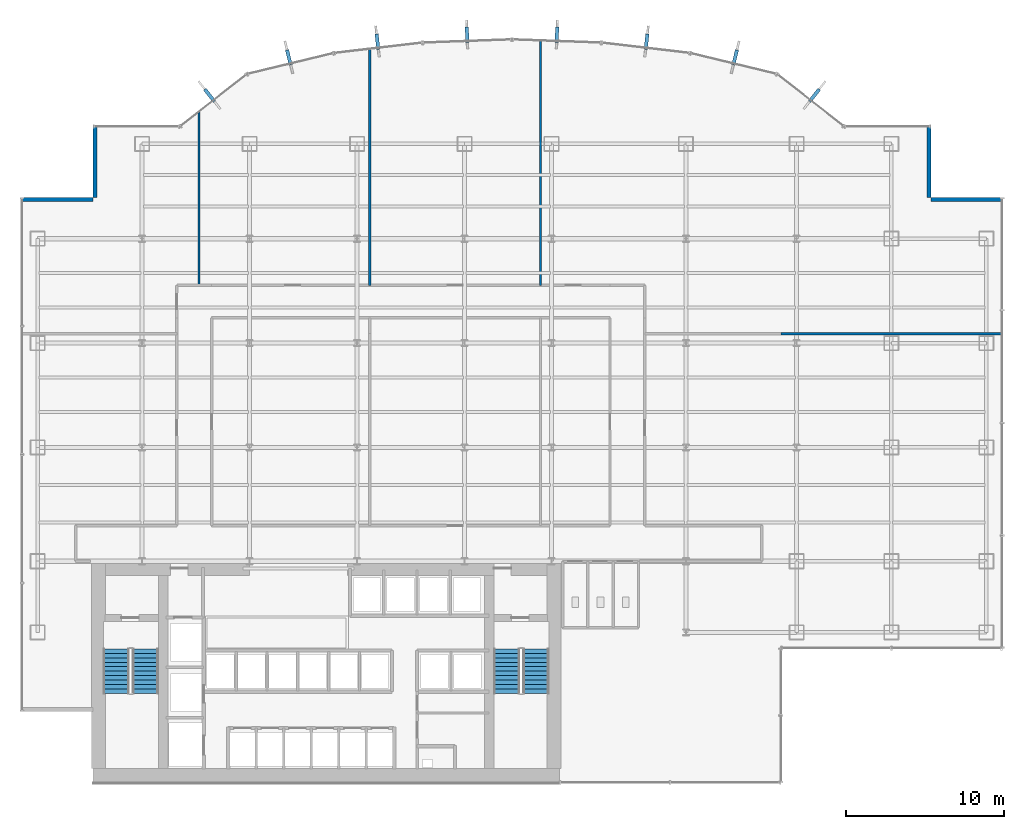
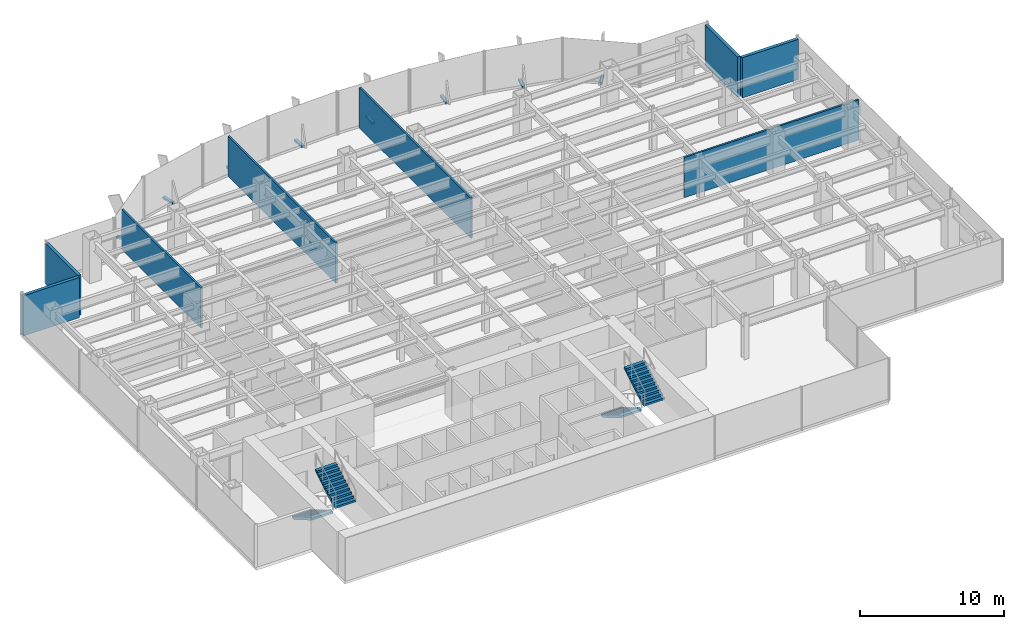
# One storey, part 19 of 22: 8 discrete accessories, 8 walls, 4 stair flights, 2 elements without a shape of their own.
"""IFC4 building model written with IfcOpenShell, lengths in metres."""

from ifc_helpers import new_model, si_unit, derived_unit, direction, frame, frame_2d, origin, origin_2d, place, context, subcontext, project, spatial, polyline, rectangle, outline, extrude, source, transform, mapped, material, layer, layer_set, type_object, element, aggregate, save


model = new_model("IFC4")

# Units and contexts
model_context = context("Model", 3, precision=1e-05, world=origin(), true_north=direction((0.0, 1.0)))
body_context = subcontext(model_context, "Body", "Model", "MODEL_VIEW")
ifc_project = project(units=[si_unit("LENGTHUNIT", "METRE"), si_unit("AREAUNIT", "SQUARE_METRE"), si_unit("VOLUMEUNIT", "CUBIC_METRE"), si_unit("PLANEANGLEUNIT", "RADIAN"), si_unit("MASSUNIT", "GRAM", prefix="KILO"), derived_unit("THERMALTRANSMITTANCEUNIT", [(si_unit("POWERUNIT", "WATT"), 1), (si_unit("LENGTHUNIT", "METRE"), -2), (si_unit("THERMODYNAMICTEMPERATUREUNIT", "KELVIN"), -1)])], contexts=[model_context])

# Site, building, storey
site_placement = place(None, origin())
site = spatial("IfcSite", under=ifc_project, at=site_placement, CompositionType="ELEMENT")
building_placement = place(site_placement, origin())
building = spatial("IfcBuilding", under=site, at=building_placement, Name="Skarnbrae Concourse Arena and Tower", CompositionType="ELEMENT")
storey_placement = place(building_placement, frame((0.0, 0.0, 72.64990234375)))
storey = spatial("IfcBuildingStorey", under=building, at=storey_placement, Name="L17", CompositionType="ELEMENT", Elevation=72.64990234375)

# Walls
ifc_material_1 = material(Name="Precast concrete 40 MPa (C40/50)", Category="concrete")
ifc_layer_1 = layer(ifc_material_1, 0.25)
ifc_layer_set_1 = layer_set([ifc_layer_1], Name="Precast concrete 40 MPa (C40/50)")
wall_type_1 = type_object("IfcWallType", Name="WALL-EXT-SPANDREL-250", PredefinedType="STANDARD", material=ifc_layer_set_1)
shared_shape_1 = source(origin(), body_context, "Body", "SweptSolid", [
    extrude(rectangle(XDim=4.5, YDim=0.25, at=frame_2d((2.25, 0.0))), origin(), (0.0, 0.0, 1.0), 3.400146484375),
])
for number, where, z_axis, x_axis, name in (
    (1, (62.0, 36.875, 0.0), (0.0, 0.0, 1.0), (-1.0, 0.0, 0.0), "L17 Notched corner insulated return wall 05"),
    (2, (57.375, 37.0, 0.0), (0.0, 0.0, 1.0), (0.0, 1.0, 0.0), "L17 Notched corner insulated return wall 06"),
    (3, (4.625, 41.5, 0.0), (0.0, 0.0, 1.0), (0.0, -1.0, 0.0), "L17 Notched corner insulated return wall 17"),
    (4, (4.5, 36.875, 0.0), (0.0, 0.0, 1.0), (-1.0, 0.0, 0.0), "L17 Notched corner insulated return wall 18"),
):
    element("IfcWall", number, at=place(storey_placement, frame(where, z_axis=z_axis, x_axis=x_axis)), inside=storey, type_object=wall_type_1, Name=name, PredefinedType="STANDARD", context=body_context, shape_type="MappedRepresentation", body=[
        mapped(shared_shape_1, transform((0.0, 0.0, 0.0))),
    ])
ifc_material_2 = material(Name="Gypsum board on cold-formed steel studs", Category="steel")
ifc_layer_2 = layer(ifc_material_2, 0.14990234375)
ifc_layer_set_2 = layer_set([ifc_layer_2], Name="Gypsum board on cold-formed steel studs")
wall_type_2 = type_object("IfcWallType", Name="WALL-PART-150", PredefinedType="PARTITIONING", material=ifc_layer_set_2)
shared_shape_2 = source(origin(), body_context, "Body", "SweptSolid", [
    extrude(rectangle(XDim=10.96337890625, YDim=0.14990234375, at=frame_2d((5.481689453125, 0.0))), origin(), (0.0, 0.0, 1.0), 3.400146484375),
])
wall_1_placement = place(storey_placement, frame((11.199951171875, 42.413330078125, 0.0), z_axis=(0.0, 0.0, 1.0), x_axis=(0.0, -1.0, 0.0)))
element("IfcWall", 5, at=wall_1_placement, inside=storey, type_object=wall_type_2, Name="L17 Interior partition wall W-L17-DEM-19", PredefinedType="PARTITIONING", context=body_context, shape_type="MappedRepresentation", body=[
    mapped(shared_shape_2, transform((0.0, 0.0, 0.0))),
])
shared_shape_3 = source(origin(), body_context, "Body", "SweptSolid", [
    extrude(rectangle(XDim=14.935791015625, YDim=0.14990234375, at=frame_2d((7.4677734375, 0.0))), origin(), (0.0, 0.0, 1.0), 3.400146484375),
])
wall_2_placement = place(storey_placement, frame((22.0, 46.3857421875, 0.0), z_axis=(0.0, 0.0, 1.0), x_axis=(0.0, -1.0, 0.0)))
element("IfcWall", 6, at=wall_2_placement, inside=storey, type_object=wall_type_2, Name="L17 Interior partition wall W-L17-DEM-22", PredefinedType="PARTITIONING", context=body_context, shape_type="MappedRepresentation", body=[
    mapped(shared_shape_3, transform((0.0, 0.0, 0.0))),
])
shared_shape_4 = source(origin(), body_context, "Body", "SweptSolid", [
    extrude(rectangle(XDim=15.46533203125, YDim=0.14990234375, at=frame_2d((7.732666015625, 0.0))), origin(), (0.0, 0.0, 1.0), 3.400146484375),
])
wall_3_placement = place(storey_placement, frame((32.800048828125, 46.915283203125, 0.0), z_axis=(0.0, 0.0, 1.0), x_axis=(0.0, -1.0, 0.0)))
element("IfcWall", 7, at=wall_3_placement, inside=storey, type_object=wall_type_2, Name="L17 Interior partition wall W-L17-DEM-25", PredefinedType="PARTITIONING", context=body_context, shape_type="MappedRepresentation", body=[
    mapped(shared_shape_4, transform((0.0, 0.0, 0.0))),
])
shared_shape_5 = source(origin(), body_context, "Body", "SweptSolid", [
    extrude(rectangle(XDim=13.97998046875, YDim=0.14990234375, at=frame_2d((6.989990234375, 0.0))), origin(), (0.0, 0.0, 1.0), 3.400146484375),
])
wall_4_placement = place(storey_placement, frame((61.97998046875, 28.39990234375, 0.0), z_axis=(0.0, 0.0, 1.0), x_axis=(-1.0, 0.0, 0.0)))
element("IfcWall", 8, at=wall_4_placement, inside=storey, type_object=wall_type_2, Name="L17 Interior partition wall W-L17-DEM-26", PredefinedType="PARTITIONING", context=body_context, shape_type="MappedRepresentation", body=[
    mapped(shared_shape_5, transform((0.0, 0.0, 0.0))),
])

# Stair, stair flights
ifc_material_3 = material(Name="Concrete 40 MPa (C40/50)", Category="concrete")
stair_type = type_object("IfcStairType", Name="STAIR-DOGLEG-1650", PredefinedType="HALF_TURN_STAIR", material=ifc_material_3)
stair_1_placement = place(storey_placement, origin())
stair_1 = element("IfcStair", 9, at=stair_1_placement, inside=storey, type_object=stair_type, Name="L17 Protected Exit Stair ST-1", PredefinedType="HALF_TURN_STAIR")
stair_flight_type = type_object("IfcStairFlightType", Name="FLIGHT-STRAIGHT-1650", PredefinedType="STRAIGHT", material=ifc_material_3)
shared_shape_6 = source(origin(), body_context, "Body", "SweptSolid", [
    extrude(outline(polyline([(0.0, 0.0), (0.0, 0.166015625), (0.280029296875, 0.166015625), (0.280029296875, 0.331787109375), (0.56005859375, 0.331787109375), (0.56005859375, 0.497802734375), (0.840087890625, 0.497802734375), (0.840087890625, 0.66357421875), (1.1201171875, 0.66357421875), (1.1201171875, 0.82958984375), (1.39990234375, 0.82958984375), (1.39990234375, 0.995361328125), (1.679931640625, 0.995361328125), (1.679931640625, 1.161376953125), (1.9599609375, 1.161376953125), (1.9599609375, 1.327392578125), (2.239990234375, 1.327392578125), (2.239990234375, 1.4931640625), (2.52001953125, 1.4931640625), (2.52001953125, 1.6591796875), (2.800048828125, 1.6591796875), (2.800048828125, 1.824951171875), (2.800048828125, 1.48486328125), (0.2939453125, 0.0), (0.0, 0.0)])), frame((0.0, 0.824951171875, 0.0), z_axis=(0.0, -1.0, 0.0), x_axis=(1.0, 0.0, 0.0)), (0.0, 0.0, 1.0), 1.64990234375),
])
stair_flight_1_placement = place(storey_placement, frame((5.97509765625, 8.449951171875, 0.0), z_axis=(0.0, 0.0, 1.0), x_axis=(0.0, -1.0, 0.0)))
stair_flight_1 = element("IfcStairFlight", 10, at=stair_flight_1_placement, type_object=stair_flight_type, Name="ST-1 flight 1", NumberOfRisers=11, NumberOfTreads=10, PredefinedType="STRAIGHT", RiserHeight=0.165909091, TreadLength=0.28, context=body_context, shape_type="MappedRepresentation", body=[
    mapped(shared_shape_6, transform((0.0, 0.0, 0.0))),
])
stair_flight_2_placement = place(storey_placement, frame((7.824951171875, 5.64990234375, 1.8251953125), z_axis=(0.0, 0.0, 1.0), x_axis=(0.0, 1.0, 0.0)))
stair_flight_2 = element("IfcStairFlight", 11, at=stair_flight_2_placement, type_object=stair_flight_type, Name="ST-1 flight 2", NumberOfRisers=11, NumberOfTreads=10, PredefinedType="STRAIGHT", RiserHeight=0.165909091, TreadLength=0.28, context=body_context, shape_type="MappedRepresentation", body=[
    mapped(shared_shape_6, transform((0.0, 0.0, 0.0))),
])
aggregate(stair_1, [stair_flight_1, stair_flight_2])

stair_2_placement = place(storey_placement, origin())
stair_2 = element("IfcStair", 12, at=stair_2_placement, inside=storey, type_object=stair_type, Name="L17 Protected Exit Stair ST-2", PredefinedType="HALF_TURN_STAIR")
stair_flight_3_placement = place(storey_placement, frame((30.675048828125, 8.449951171875, 0.0), z_axis=(0.0, 0.0, 1.0), x_axis=(0.0, -1.0, 0.0)))
stair_flight_3 = element("IfcStairFlight", 13, at=stair_flight_3_placement, type_object=stair_flight_type, Name="ST-2 flight 1", NumberOfRisers=11, NumberOfTreads=10, PredefinedType="STRAIGHT", RiserHeight=0.165909091, TreadLength=0.28, context=body_context, shape_type="MappedRepresentation", body=[
    mapped(shared_shape_6, transform((0.0, 0.0, 0.0))),
])
stair_flight_4_placement = place(storey_placement, frame((32.52490234375, 5.64990234375, 1.8251953125), z_axis=(0.0, 0.0, 1.0), x_axis=(0.0, 1.0, 0.0)))
stair_flight_4 = element("IfcStairFlight", 14, at=stair_flight_4_placement, type_object=stair_flight_type, Name="ST-2 flight 2", NumberOfRisers=11, NumberOfTreads=10, PredefinedType="STRAIGHT", RiserHeight=0.165909091, TreadLength=0.28, context=body_context, shape_type="MappedRepresentation", body=[
    mapped(shared_shape_6, transform((0.0, 0.0, 0.0))),
])
aggregate(stair_2, [stair_flight_3, stair_flight_4])

# Discrete accessories
ifc_material_4 = material(Name="Bronze anodised aluminium 6063-T6", Category="aluminium")
discrete_accessory_type = type_object("IfcDiscreteAccessoryType", Name="ACC-FIN-BRACKET", PredefinedType="BRACKET", material=ifc_material_4)
shared_shape_7 = source(origin(), body_context, "Body", "SweptSolid", [
    extrude(rectangle(XDim=0.219970703125, YDim=0.97998046875, at=origin_2d()), origin(), (0.0, 0.0, 1.0), 0.179931640625),
])
for number, where, z_axis, x_axis, name in (
    (15, (50.129638671875, 43.470947265625, -0.02978515625), (0.0, 0.0, 1.0), (0.787656027369, -0.616115234797, 0.0), "L17 Bronze fin foot support bracket 08"),
    (16, (45.11328125, 45.864990234375, -0.02978515625), (0.0, 0.0, 1.0), (0.971973311258, -0.235091221021, 0.0), "L17 Bronze fin foot support bracket 09"),
    (17, (39.509521484375, 46.865966796875, -0.02978515625), (0.0, 0.0, 1.0), (0.993243759876, -0.116046686587, 0.0), "L17 Bronze fin foot support bracket 10"),
    (18, (33.84130859375, 47.298095703125, -0.02978515625), (0.0, 0.0, 1.0), (0.999355613141, -0.035893710914, 0.0), "L17 Bronze fin foot support bracket 11"),
    (19, (28.15869140625, 47.298095703125, -0.02978515625), (0.0, 0.0, 1.0), (0.999355613141, 0.035893710914, 0.0), "L17 Bronze fin foot support bracket 12"),
    (20, (22.490478515625, 46.865966796875, -0.02978515625), (0.0, 0.0, 1.0), (0.993243759876, 0.116046686587, 0.0), "L17 Bronze fin foot support bracket 13"),
    (21, (16.88671875, 45.864990234375, -0.02978515625), (0.0, 0.0, 1.0), (0.971973311258, 0.235091221021, 0.0), "L17 Bronze fin foot support bracket 14"),
    (22, (11.870361328125, 43.470947265625, -0.02978515625), (0.0, 0.0, 1.0), (0.787656027369, 0.616115234797, 0.0), "L17 Bronze fin foot support bracket 15"),
):
    element("IfcDiscreteAccessory", number, at=place(storey_placement, frame(where, z_axis=z_axis, x_axis=x_axis)), inside=storey, type_object=discrete_accessory_type, Name=name, PredefinedType="BRACKET", context=body_context, shape_type="MappedRepresentation", body=[
        mapped(shared_shape_7, transform((0.0, 0.0, 0.0))),
    ])

save(model, "model.ifc")
